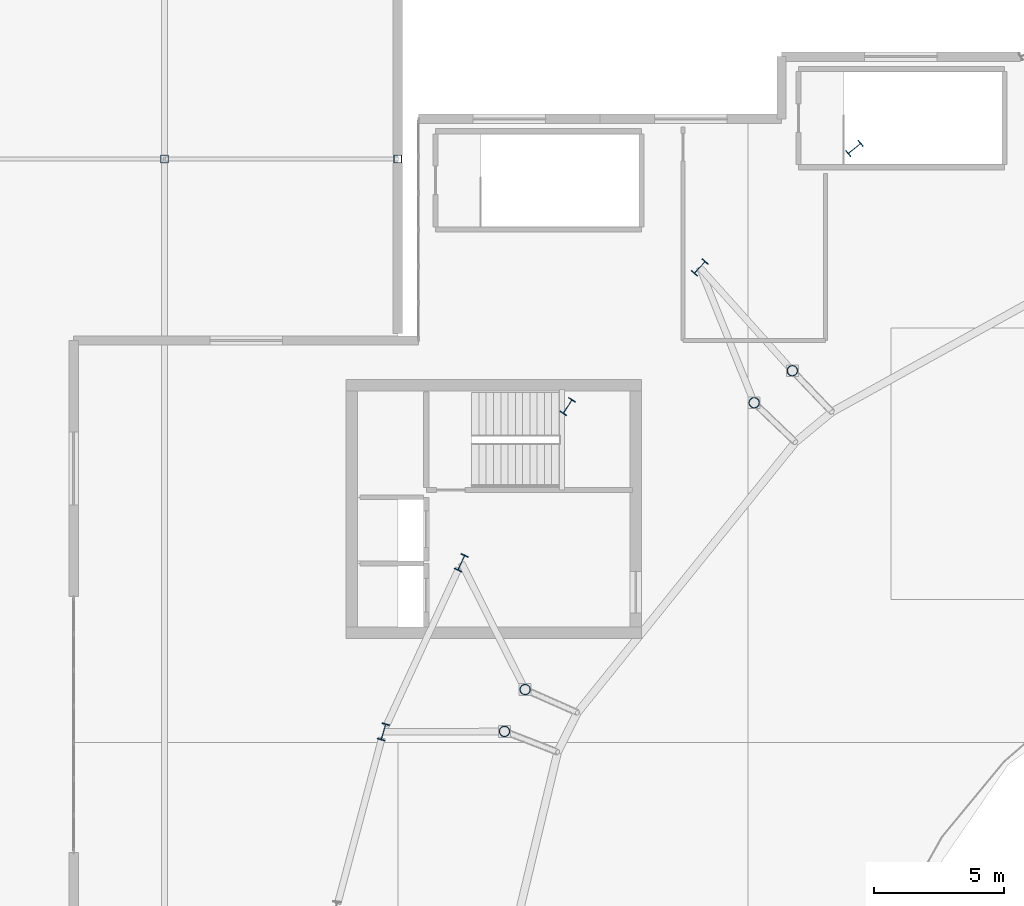
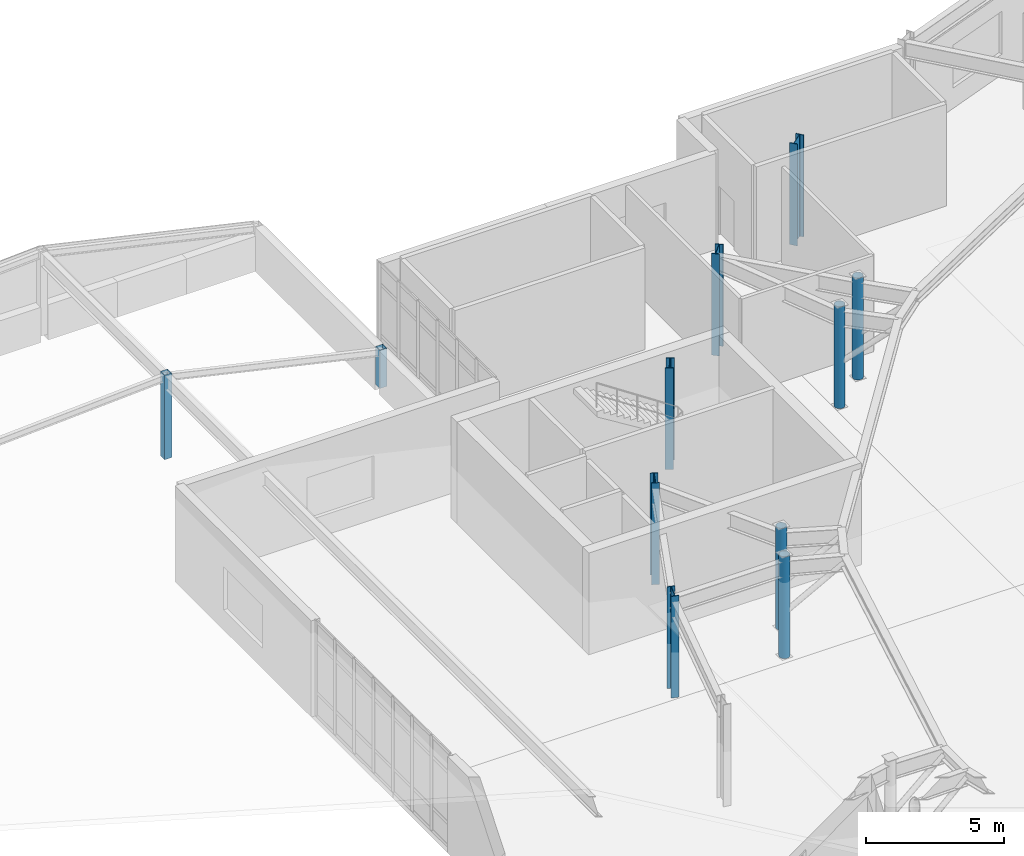
# One storey, part 7 of 48: 11 columns.
"""IFC4 building model written with IfcOpenShell, lengths in metres."""

from ifc_helpers import new_model, si_unit, direction, frame, origin, origin_2d, place, context, subcontext, project, spatial, hollow_rectangle, hollow_circle, i_section, extrude, material, material_profile, profile_set, type_object, element, save


model = new_model("IFC4")

# Units and contexts
model_context = context("Model", 3, precision=1e-05, world=origin(), true_north=direction((0.0, 1.0)))
body_context = subcontext(model_context, "Body", "Model", "MODEL_VIEW")
ifc_project = project(units=[si_unit("LENGTHUNIT", "METRE"), si_unit("AREAUNIT", "SQUARE_METRE"), si_unit("VOLUMEUNIT", "CUBIC_METRE"), si_unit("PLANEANGLEUNIT", "RADIAN"), si_unit("MASSUNIT", "GRAM", prefix="KILO")], contexts=[model_context])

# Site, building, storey
site_placement = place(None, origin())
site = spatial("IfcSite", under=ifc_project, at=site_placement, CompositionType="ELEMENT")
building_placement = place(site_placement, origin())
building = spatial("IfcBuilding", under=site, at=building_placement, Name="Glasvene Arena", CompositionType="ELEMENT")
storey_placement = place(building_placement, frame((0.0, 0.0, 19.5)))
storey = spatial("IfcBuildingStorey", under=building, at=storey_placement, Name="L04", CompositionType="ELEMENT", Elevation=19.5)

# Columns
ifc_material = material(Name="Steel S355J2", Category="steel")
ifc_material_profile_1 = material_profile(ifc_material, i_section(OverallWidth=0.300048828125, OverallDepth=0.64990234375, WebThickness=0.01611328125, FlangeThickness=0.031005859375, FilletRadius=0.027099609375, at=origin_2d()), Name="HEB 650")
ifc_profile_set_1 = profile_set([ifc_material_profile_1], Name="Steel S355J2")
column_type_1 = type_object("IfcColumnType", Name="COL-RING-HEB650", PredefinedType="COLUMN", material=ifc_profile_set_1)
for number, where, z_axis, x_axis, name in (
    (1, (62.610595703125, 109.40576171875, 0.0), (0.0, 0.0, 1.0), (-0.628098877137, 0.778133536444, 0.0), "Bowl ring column R15 L04"),
    (2, (56.644775390625, 104.81982421875, 0.0), (0.0, 0.0, 1.0), (-0.74326159948, 0.669000892928, 0.0), "Bowl ring column R16 L04"),
    (3, (51.54931640625, 99.4501953125, 0.0), (0.0, 0.0, 1.0), (-0.836955398099, 0.547271104292, 0.0), "Bowl ring column R17 L04"),
    (4, (47.44970703125, 93.4296875, 0.0), (0.0, 0.0, 1.0), (-0.909018020308, 0.416756810089, 0.0), "Bowl ring column R18 L04"),
    (5, (44.447265625, 86.90576171875, 0.0), (0.0, 0.0, 1.0), (-0.959805291975, 0.280666708921, 0.0), "Bowl ring column R19 L04"),
):
    element("IfcColumn", number, at=place(storey_placement, frame(where, z_axis=z_axis, x_axis=x_axis)), inside=storey, type_object=column_type_1, Name=name, PredefinedType="COLUMN", context=body_context, shape_type="SweptSolid", body=[
        extrude(i_section(OverallWidth=0.300048828125, OverallDepth=0.64990234375, WebThickness=0.01611328125, FlangeThickness=0.031005859375, FilletRadius=0.027099609375, at=origin_2d()), origin(), (0.0, 0.0, 1.0), 4.5),
    ])
ifc_material_profile_2 = material_profile(ifc_material, hollow_circle(Radius=0.203125, WallThickness=0.01611328125, at=origin_2d()), Name="CHS 406.4x16.0")
ifc_profile_set_2 = profile_set([ifc_material_profile_2], Name="Steel S355J2")
column_type_2 = type_object("IfcColumnType", Name="COL-W-CHS406", PredefinedType="COLUMN", material=ifc_profile_set_2)
for number, where, z_axis, x_axis, name in (
    (6, (60.219482421875, 100.834228515625, 0.0), (0.0, 0.0, 1.0), (1.0, 0.0, 0.0), "Gondola support column L04 06-2"),
    (7, (58.743408203125, 99.59912109375, 0.0), (0.0, 0.0, 1.0), (1.0, 0.0, 0.0), "Gondola support column L04 07-1"),
    (8, (49.911865234375, 88.53662109375, 0.0), (0.0, 0.0, 1.0), (1.0, 0.0, 0.0), "Gondola support column L04 07-2"),
    (9, (49.113037109375, 86.922607421875, 0.0), (0.0, 0.0, 1.0), (1.0, 0.0, 0.0), "Gondola support column L04 08-1"),
):
    element("IfcColumn", number, at=place(storey_placement, frame(where, z_axis=z_axis, x_axis=x_axis)), inside=storey, type_object=column_type_2, Name=name, PredefinedType="COLUMN", context=body_context, shape_type="SweptSolid", body=[
        extrude(hollow_circle(Radius=0.203125, WallThickness=0.01611328125, at=origin_2d()), origin(), (0.0, 0.0, 1.0), 4.5),
    ])
ifc_material_profile_3 = material_profile(ifc_material, hollow_rectangle(XDim=0.300048828125, YDim=0.300048828125, WallThickness=0.012451171875, at=origin_2d()), Name="SHS 300x300x12.5")
ifc_profile_set_3 = profile_set([ifc_material_profile_3], Name="Steel S355J2")
column_type_3 = type_object("IfcColumnType", Name="COL-W-SHS300", PredefinedType="COLUMN", material=ifc_profile_set_3)
column_1_placement = place(storey_placement, frame((45.0, 109.0, 0.0), z_axis=(0.0, 0.0, 1.0), x_axis=(1.0, 0.0, 0.0)))
element("IfcColumn", 10, at=column_1_placement, inside=storey, type_object=column_type_3, Name="Wing roof eave post V4-E-12", PredefinedType="COLUMN", context=body_context, shape_type="SweptSolid", body=[
    extrude(hollow_rectangle(XDim=0.300048828125, YDim=0.300048828125, WallThickness=0.012451171875, at=origin_2d()), origin(), (0.0, 0.0, 1.0), 1.68994140625),
])
column_2_placement = place(storey_placement, frame((36.0, 109.0, 0.0), z_axis=(0.0, 0.0, 1.0), x_axis=(1.0, 0.0, 0.0)))
element("IfcColumn", 11, at=column_2_placement, inside=storey, type_object=column_type_3, Name="Wing roof ridge post V4-12", PredefinedType="COLUMN", context=body_context, shape_type="SweptSolid", body=[
    extrude(hollow_rectangle(XDim=0.300048828125, YDim=0.300048828125, WallThickness=0.012451171875, at=origin_2d()), origin(), (0.0, 0.0, 1.0), 3.739990234375),
])

save(model, "model.ifc")
